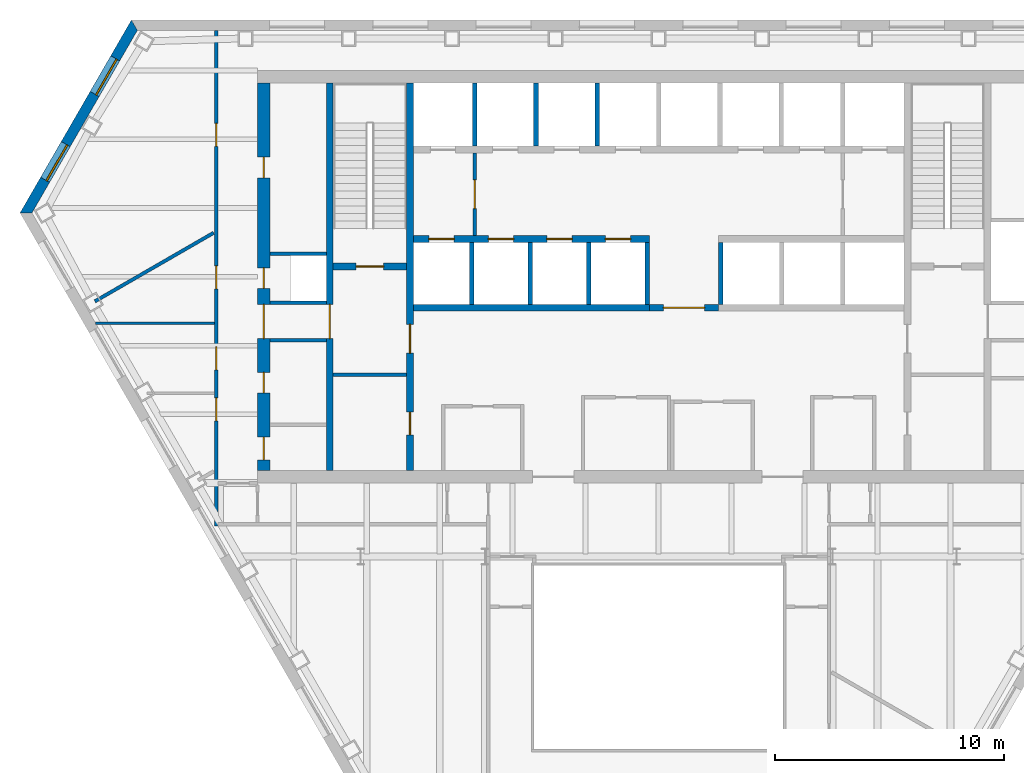
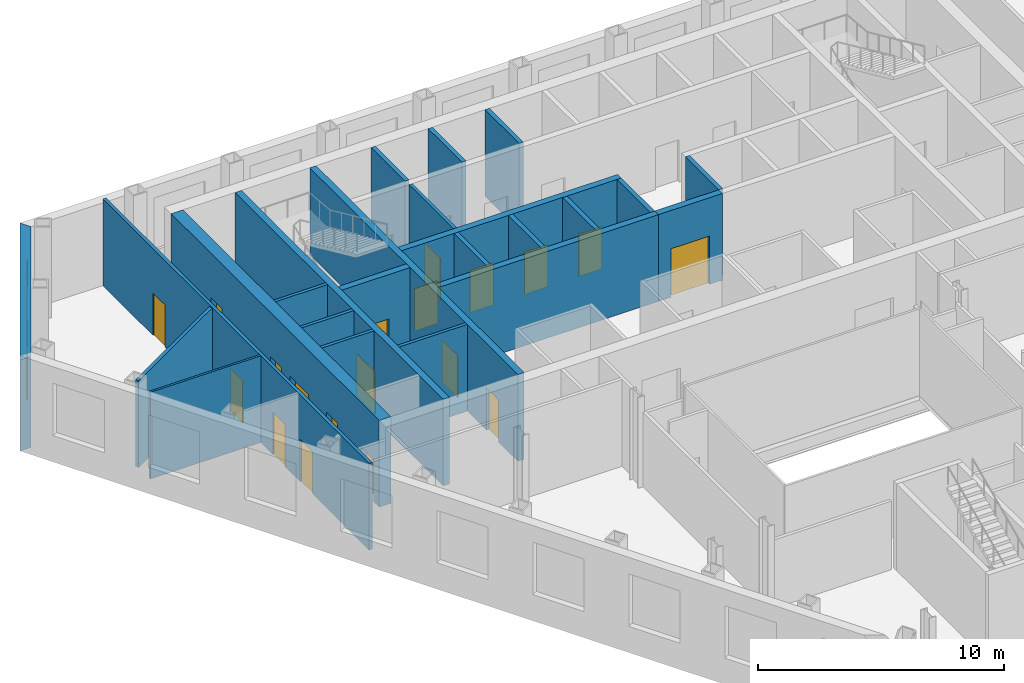
# One storey, part 6 of 11: 24 walls, 19 doors, 2 windows, 21 openings.
"""IFC4 building model written with IfcOpenShell, lengths in metres."""

from ifc_helpers import new_model, si_unit, direction, frame, frame_2d, origin, place, context, subcontext, project, spatial, polyline, rectangle, outline, extrude, material, layer, layer_set, type_object, element, fill, save


model = new_model("IFC4")

# Units and contexts
model_context = context("Model", 3, precision=1e-05, world=origin(), true_north=direction((0.0, 1.0)))
body_context = subcontext(model_context, "Body", "Model", "MODEL_VIEW")
ifc_project = project(units=[si_unit("LENGTHUNIT", "METRE"), si_unit("AREAUNIT", "SQUARE_METRE"), si_unit("VOLUMEUNIT", "CUBIC_METRE"), si_unit("PLANEANGLEUNIT", "RADIAN"), si_unit("MASSUNIT", "GRAM", prefix="KILO")], contexts=[model_context])

# Site, building, storey
site_placement = place(None, origin())
site = spatial("IfcSite", under=ifc_project, at=site_placement, CompositionType="ELEMENT")
building_placement = place(site_placement, origin())
building = spatial("IfcBuilding", under=site, at=building_placement, Name="Njiva Tower", CompositionType="ELEMENT")
storey_placement = place(building_placement, frame((0.0, 0.0, 120.3)))
storey = spatial("IfcBuildingStorey", under=building, at=storey_placement, Name="L25", CompositionType="ELEMENT", Elevation=120.3)

# Wall
ifc_material_1 = material(Name="Blockwork", Category="masonry")
ifc_layer_1 = layer(ifc_material_1, 0.15)
ifc_layer_set_1 = layer_set([ifc_layer_1], Name="Blockwork")
wall_type_1 = type_object("IfcWallType", Name="WT1 Compartment partition 150", PredefinedType="PARTITIONING", material=ifc_layer_set_1)
wall_1_placement = place(storey_placement, frame((-14.2, 4.725, 0.0), z_axis=(0.0, 0.0, 1.0), x_axis=(1.0, 0.0, 0.0)))
element("IfcWall", 1, at=wall_1_placement, inside=storey, type_object=wall_type_1, Name="Room wall A", PredefinedType="PARTITIONING", context=body_context, shape_type="SweptSolid", body=[
    extrude(rectangle(XDim=3.2, YDim=0.15, at=frame_2d((1.6, 0.0))), origin(), (0.0, 0.0, 1.0), 4.3),
])

# Wall, openings, doors
ifc_material_2 = material(Name="Concrete C40/50", Category="concrete")
ifc_layer_2 = layer(ifc_material_2, 0.3)
ifc_layer_set_2 = layer_set([ifc_layer_2], Name="Concrete C40/50")
wall_type_2 = type_object("IfcWallType", Name="WT10 Stair enclosure wall 300", PredefinedType="SHEAR", material=ifc_layer_set_2)
wall_2_placement = place(storey_placement, frame((-10.85, 0.55, 0.0), z_axis=(0.0, 0.0, 1.0), x_axis=(0.0, 1.0, 0.0)))
wall_2 = element("IfcWall", 2, at=wall_2_placement, inside=storey, type_object=wall_type_2, Name="Stair wall west inner", PredefinedType="SHEAR", context=body_context, shape_type="SweptSolid", body=[
    extrude(rectangle(XDim=16.9, YDim=0.3, at=frame_2d((8.45, 0.0))), origin(), (0.0, 0.0, 1.0), 4.3),
])
opening_1_placement = place(wall_2_placement, frame((5.125, 0.0, 0.0)))
opening_1 = element("IfcOpeningElement", 3, at=opening_1_placement, cuts=wall_2, Name="Opening S08-D914", PredefinedType="OPENING", context=body_context, shape_type="SweptSolid", body=[
    extrude(rectangle(XDim=1.25, YDim=2.1, at=frame_2d((0.625, 1.05))), frame((0.0, 0.16, 0.0), z_axis=(0.0, -1.0, 0.0), x_axis=(1.0, 0.0, 0.0)), (0.0, 0.0, 1.0), 0.32),
])
opening_2_placement = place(wall_2_placement, frame((1.55, 0.0, 0.0)))
opening_2 = element("IfcOpeningElement", 4, at=opening_2_placement, cuts=wall_2, Name="Opening S08-D915", PredefinedType="OPENING", context=body_context, shape_type="SweptSolid", body=[
    extrude(rectangle(XDim=1.0, YDim=2.1, at=frame_2d((0.5, 1.05))), frame((0.0, 0.16, 0.0), z_axis=(0.0, -1.0, 0.0), x_axis=(1.0, 0.0, 0.0)), (0.0, 0.0, 1.0), 0.32),
])
ifc_material_3 = material(Name="Steel door, painted", Category="steel")
door_type_1 = type_object("IfcDoorType", Name="D5 Steel door 1000x2100", OperationType="SINGLE_SWING_LEFT", PredefinedType="DOOR", material=ifc_material_3)
door_1_placement = place(opening_2_placement, origin())
door_1 = element("IfcDoor", 5, at=door_1_placement, inside=storey, type_object=door_type_1, Name="Quiet room door", OperationType="SINGLE_SWING_RIGHT", OverallHeight=2.1, OverallWidth=1.0, PredefinedType="DOOR", context=body_context, shape_type="SweptSolid", body=[
    extrude(rectangle(XDim=1.0, YDim=2.1, at=frame_2d((0.5, 1.05))), frame((0.0, 0.025, 0.0), z_axis=(0.0, -1.0, 0.0), x_axis=(1.0, 0.0, 0.0)), (0.0, 0.0, 1.0), 0.05),
])
fill(opening_2, door_1)
ifc_material_4 = material(Name="Glazed steel fire door", Category="steel")
door_type_2 = type_object("IfcDoorType", Name="D8 Vestibule corridor door 1250x2100 glazed", OperationType="SINGLE_SWING_LEFT", PredefinedType="DOOR", material=ifc_material_4)
door_2_placement = place(opening_1_placement, origin())
door_2 = element("IfcDoor", 6, at=door_2_placement, inside=storey, type_object=door_type_2, Name="Stair vestibule corridor door", OperationType="SINGLE_SWING_LEFT", OverallHeight=2.1, OverallWidth=1.25, PredefinedType="DOOR", context=body_context, shape_type="SweptSolid", body=[
    extrude(rectangle(XDim=1.25, YDim=2.1, at=frame_2d((0.625, 1.05))), frame((0.0, 0.025, 0.0), z_axis=(0.0, -1.0, 0.0), x_axis=(1.0, 0.0, 0.0)), (0.0, 0.0, 1.0), 0.05),
])
fill(opening_1, door_2)

# Wall, opening, door
wall_3_placement = place(storey_placement, frame((-14.35, 0.55, 0.0), z_axis=(0.0, 0.0, 1.0), x_axis=(0.0, 1.0, 0.0)))
wall_3 = element("IfcWall", 7, at=wall_3_placement, inside=storey, type_object=wall_type_2, Name="Stair wall west outer", PredefinedType="SHEAR", context=body_context, shape_type="SweptSolid", body=[
    extrude(rectangle(XDim=16.9, YDim=0.3, at=frame_2d((8.45, 0.0))), origin(), (0.0, 0.0, 1.0), 4.3),
])
opening_3_placement = place(wall_3_placement, frame((5.75, 0.0, 0.0)))
opening_3 = element("IfcOpeningElement", 8, at=opening_3_placement, cuts=wall_3, Name="Opening S08-D920", PredefinedType="OPENING", context=body_context, shape_type="SweptSolid", body=[
    extrude(rectangle(XDim=1.5, YDim=2.1, at=frame_2d((0.75, 1.05))), frame((0.0, 0.16, 0.0), z_axis=(0.0, -1.0, 0.0), x_axis=(1.0, 0.0, 0.0)), (0.0, 0.0, 1.0), 0.32),
])
door_type_3 = type_object("IfcDoorType", Name="D10 Exit door double 1500x2100 glazed", OperationType="DOUBLE_DOOR_SINGLE_SWING", PredefinedType="DOOR", material=ifc_material_4)
door_3_placement = place(opening_3_placement, origin())
door_3 = element("IfcDoor", 9, at=door_3_placement, inside=storey, type_object=door_type_3, Name="Stair A passage door", OperationType="DOUBLE_DOOR_SINGLE_SWING", OverallHeight=2.1, OverallWidth=1.5, PredefinedType="DOOR", context=body_context, shape_type="SweptSolid", body=[
    extrude(rectangle(XDim=1.5, YDim=2.1, at=frame_2d((0.75, 1.05))), frame((0.0, 0.025, 0.0), z_axis=(0.0, -1.0, 0.0), x_axis=(1.0, 0.0, 0.0)), (0.0, 0.0, 1.0), 0.05),
])
fill(opening_3, door_3)

wall_4_placement = place(storey_placement, frame((-14.2, 9.45, 0.0), z_axis=(0.0, 0.0, 1.0), x_axis=(1.0, 0.0, 0.0)))
wall_4 = element("IfcWall", 10, at=wall_4_placement, inside=storey, type_object=wall_type_2, Name="Stair A south wall", PredefinedType="SHEAR", context=body_context, shape_type="SweptSolid", body=[
    extrude(rectangle(XDim=3.2, YDim=0.3, at=frame_2d((1.6, 0.0))), origin(), (0.0, 0.0, 1.0), 4.3),
])
opening_4_placement = place(wall_4_placement, frame((1.0, 0.0, 0.0)))
opening_4 = element("IfcOpeningElement", 11, at=opening_4_placement, cuts=wall_4, Name="Opening S08-D913", PredefinedType="OPENING", context=body_context, shape_type="SweptSolid", body=[
    extrude(rectangle(XDim=1.2, YDim=2.1, at=frame_2d((0.6, 1.05))), frame((0.0, 0.16, 0.0), z_axis=(0.0, -1.0, 0.0), x_axis=(1.0, 0.0, 0.0)), (0.0, 0.0, 1.0), 0.32),
])
door_type_4 = type_object("IfcDoorType", Name="D7 Stair vestibule door 1200x2100 glazed", OperationType="SINGLE_SWING_LEFT", PredefinedType="DOOR", material=ifc_material_4)
door_4_placement = place(opening_4_placement, origin())
door_4 = element("IfcDoor", 12, at=door_4_placement, inside=storey, type_object=door_type_4, Name="Stair A door", OperationType="SINGLE_SWING_LEFT", OverallHeight=2.1, OverallWidth=1.2, PredefinedType="DOOR", context=body_context, shape_type="SweptSolid", body=[
    extrude(rectangle(XDim=1.2, YDim=2.1, at=frame_2d((0.6, 1.05))), frame((0.0, 0.025, 0.0), z_axis=(0.0, -1.0, 0.0), x_axis=(1.0, 0.0, 0.0)), (0.0, 0.0, 1.0), 0.05),
])
fill(opening_4, door_4)

# Wall, openings, doors
ifc_material_5 = material(Name="Concrete C60/75", Category="concrete")
ifc_layer_3 = layer(ifc_material_5, 0.55)
ifc_layer_set_3 = layer_set([ifc_layer_3], Name="Concrete C60/75")
wall_type_3 = type_object("IfcWallType", Name="WT14 Core wall 550", PredefinedType="SHEAR", material=ifc_layer_set_3)
wall_5_placement = place(storey_placement, frame((-17.225, 0.55, 0.0), z_axis=(0.0, 0.0, 1.0), x_axis=(0.0, 1.0, 0.0)))
wall_5 = element("IfcWall", 13, at=wall_5_placement, inside=storey, type_object=wall_type_3, Name="Core wall west", PredefinedType="SHEAR", context=body_context, shape_type="SweptSolid", body=[
    extrude(rectangle(XDim=16.9, YDim=0.55, at=frame_2d((8.45, 0.0))), origin(), (0.0, 0.0, 1.0), 4.3),
])
opening_5_placement = place(wall_5_placement, frame((5.75, 0.0, 0.0)))
opening_5 = element("IfcOpeningElement", 14, at=opening_5_placement, cuts=wall_5, Name="Opening S08-D921", PredefinedType="OPENING", context=body_context, shape_type="SweptSolid", body=[
    extrude(rectangle(XDim=1.5, YDim=2.1, at=frame_2d((0.75, 1.05))), frame((0.0, 0.285, 0.0), z_axis=(0.0, -1.0, 0.0), x_axis=(1.0, 0.0, 0.0)), (0.0, 0.0, 1.0), 0.57),
])
opening_6_placement = place(wall_5_placement, frame((0.4618, 0.0, 0.0)))
opening_6 = element("IfcOpeningElement", 15, at=opening_6_placement, cuts=wall_5, Name="Opening S08-D922", PredefinedType="OPENING", context=body_context, shape_type="SweptSolid", body=[
    extrude(rectangle(XDim=1.0, YDim=2.1, at=frame_2d((0.5, 1.05))), frame((0.0, 0.285, 0.0), z_axis=(0.0, -1.0, 0.0), x_axis=(1.0, 0.0, 0.0)), (0.0, 0.0, 1.0), 0.57),
])
opening_7_placement = place(wall_5_placement, frame((3.3868, 0.0, 0.0)))
opening_7 = element("IfcOpeningElement", 16, at=opening_7_placement, cuts=wall_5, Name="Opening S08-D923", PredefinedType="OPENING", context=body_context, shape_type="SweptSolid", body=[
    extrude(rectangle(XDim=0.9, YDim=2.1, at=frame_2d((0.45, 1.05))), frame((0.0, 0.285, 0.0), z_axis=(0.0, -1.0, 0.0), x_axis=(1.0, 0.0, 0.0)), (0.0, 0.0, 1.0), 0.57),
])
opening_8_placement = place(wall_5_placement, frame((7.9417, 0.0, 0.0)))
opening_8 = element("IfcOpeningElement", 17, at=opening_8_placement, cuts=wall_5, Name="Opening S08-D924", PredefinedType="OPENING", context=body_context, shape_type="SweptSolid", body=[
    extrude(rectangle(XDim=0.9, YDim=2.1, at=frame_2d((0.45, 1.05))), frame((0.0, 0.285, 0.0), z_axis=(0.0, -1.0, 0.0), x_axis=(1.0, 0.0, 0.0)), (0.0, 0.0, 1.0), 0.57),
])
opening_9_placement = place(wall_5_placement, frame((12.7667, 0.0, 0.0)))
opening_9 = element("IfcOpeningElement", 18, at=opening_9_placement, cuts=wall_5, Name="Opening S08-D925", PredefinedType="OPENING", context=body_context, shape_type="SweptSolid", body=[
    extrude(rectangle(XDim=0.9, YDim=2.1, at=frame_2d((0.45, 1.05))), frame((0.0, 0.285, 0.0), z_axis=(0.0, -1.0, 0.0), x_axis=(1.0, 0.0, 0.0)), (0.0, 0.0, 1.0), 0.57),
])
door_5_placement = place(opening_5_placement, origin())
door_5 = element("IfcDoor", 19, at=door_5_placement, inside=storey, type_object=door_type_3, Name="Stair A corridor door", OperationType="DOUBLE_DOOR_SINGLE_SWING", OverallHeight=2.1, OverallWidth=1.5, PredefinedType="DOOR", context=body_context, shape_type="SweptSolid", body=[
    extrude(rectangle(XDim=1.5, YDim=2.1, at=frame_2d((0.75, 1.05))), frame((0.0, 0.025, 0.0), z_axis=(0.0, -1.0, 0.0), x_axis=(1.0, 0.0, 0.0)), (0.0, 0.0, 1.0), 0.05),
])
fill(opening_5, door_5)
door_type_5 = type_object("IfcDoorType", Name="D4 Riser door 900x2100", OperationType="SINGLE_SWING_LEFT", PredefinedType="DOOR", material=ifc_material_3)
door_6_placement = place(opening_8_placement, origin())
door_6 = element("IfcDoor", 20, at=door_6_placement, inside=storey, type_object=door_type_5, Name="Riser door", OperationType="SINGLE_SWING_RIGHT", OverallHeight=2.1, OverallWidth=0.9, PredefinedType="DOOR", context=body_context, shape_type="SweptSolid", body=[
    extrude(rectangle(XDim=0.9, YDim=2.1, at=frame_2d((0.45, 1.05))), frame((0.0, 0.025, 0.0), z_axis=(0.0, -1.0, 0.0), x_axis=(1.0, 0.0, 0.0)), (0.0, 0.0, 1.0), 0.05),
])
fill(opening_8, door_6)
door_7_placement = place(opening_6_placement, origin())
door_7 = element("IfcDoor", 21, at=door_7_placement, inside=storey, type_object=door_type_1, Name="Electrical room door", OperationType="SINGLE_SWING_LEFT", OverallHeight=2.1, OverallWidth=1.0, PredefinedType="DOOR", context=body_context, shape_type="SweptSolid", body=[
    extrude(rectangle(XDim=1.0, YDim=2.1, at=frame_2d((0.5, 1.05))), frame((0.0, 0.025, 0.0), z_axis=(0.0, -1.0, 0.0), x_axis=(1.0, 0.0, 0.0)), (0.0, 0.0, 1.0), 0.05),
])
fill(opening_6, door_7)
ifc_material_6 = material(Name="Steel fire door, painted", Category="steel")
door_type_6 = type_object("IfcDoorType", Name="D6 Fire-rated door 900x2100", OperationType="SINGLE_SWING_LEFT", PredefinedType="DOOR", material=ifc_material_6)
door_8_placement = place(opening_7_placement, origin())
door_8 = element("IfcDoor", 22, at=door_8_placement, inside=storey, type_object=door_type_6, Name="Quiet room door", OperationType="SINGLE_SWING_LEFT", OverallHeight=2.1, OverallWidth=0.9, PredefinedType="DOOR", context=body_context, shape_type="SweptSolid", body=[
    extrude(rectangle(XDim=0.9, YDim=2.1, at=frame_2d((0.45, 1.05))), frame((0.0, 0.025, 0.0), z_axis=(0.0, -1.0, 0.0), x_axis=(1.0, 0.0, 0.0)), (0.0, 0.0, 1.0), 0.05),
])
fill(opening_7, door_8)
door_9_placement = place(opening_9_placement, origin())
door_9 = element("IfcDoor", 23, at=door_9_placement, inside=storey, type_object=door_type_6, Name="Business centre door", OperationType="SINGLE_SWING_RIGHT", OverallHeight=2.1, OverallWidth=0.9, PredefinedType="DOOR", context=body_context, shape_type="SweptSolid", body=[
    extrude(rectangle(XDim=0.9, YDim=2.1, at=frame_2d((0.45, 1.05))), frame((0.0, 0.025, 0.0), z_axis=(0.0, -1.0, 0.0), x_axis=(1.0, 0.0, 0.0)), (0.0, 0.0, 1.0), 0.05),
])
fill(opening_9, door_9)

# Wall, opening, door
ifc_layer_4 = layer(ifc_material_1, 0.15)
ifc_layer_set_4 = layer_set([ifc_layer_4], Name="Blockwork")
wall_type_4 = type_object("IfcWallType", Name="WT2 Lobby partition 150", PredefinedType="PARTITIONING", material=ifc_layer_set_4)
wall_6_placement = place(storey_placement, frame((-8.025, 10.8, 0.0), z_axis=(0.0, 0.0, 1.0), x_axis=(0.0, 1.0, 0.0)))
wall_6 = element("IfcWall", 24, at=wall_6_placement, inside=storey, type_object=wall_type_4, Name="Firefighting lobby wall A", PredefinedType="PARTITIONING", context=body_context, shape_type="SweptSolid", body=[
    extrude(rectangle(XDim=3.6, YDim=0.15, at=frame_2d((1.8, 0.0))), origin(), (0.0, 0.0, 1.0), 4.3),
])
opening_10_placement = place(wall_6_placement, frame((1.175, 0.0, 0.0)))
opening_10 = element("IfcOpeningElement", 25, at=opening_10_placement, cuts=wall_6, Name="Opening S08-D912", PredefinedType="OPENING", context=body_context, shape_type="SweptSolid", body=[
    extrude(rectangle(XDim=1.25, YDim=2.1, at=frame_2d((0.625, 1.05))), frame((0.0, 0.085, 0.0), z_axis=(0.0, -1.0, 0.0), x_axis=(1.0, 0.0, 0.0)), (0.0, 0.0, 1.0), 0.17),
])
door_10_placement = place(opening_10_placement, origin())
door_10 = element("IfcDoor", 26, at=door_10_placement, inside=storey, type_object=door_type_2, Name="Stair vestibule corridor door", OperationType="SINGLE_SWING_RIGHT", OverallHeight=2.1, OverallWidth=1.25, PredefinedType="DOOR", context=body_context, shape_type="SweptSolid", body=[
    extrude(rectangle(XDim=1.25, YDim=2.1, at=frame_2d((0.625, 1.05))), frame((0.0, 0.025, 0.0), z_axis=(0.0, -1.0, 0.0), x_axis=(1.0, 0.0, 0.0)), (0.0, 0.0, 1.0), 0.05),
])
fill(opening_10, door_10)

# Walls
ifc_material_7 = material(Name="Gypsum board on steel studs", Category="gypsum")
ifc_layer_5 = layer(ifc_material_7, 0.1)
ifc_layer_set_5 = layer_set([ifc_layer_5], Name="Gypsum board on steel studs")
wall_type_5 = type_object("IfcWallType", Name="WT20 Gypsum partition 100", PredefinedType="PARTITIONING", material=ifc_layer_set_5)
wall_7_placement = place(storey_placement, frame((-24.557, 6.97, 0.0), z_axis=(0.0, 0.0, 1.0), x_axis=(1.0, 0.0, 0.0)))
element("IfcWall", 27, at=wall_7_placement, inside=storey, type_object=wall_type_5, Name="Partition S08-P002", PredefinedType="PARTITIONING", context=body_context, shape_type="SweptSolid", body=[
    extrude(rectangle(XDim=5.182, YDim=0.1, at=frame_2d((2.591, 0.0))), origin(), (0.0, 0.0, 1.0), 4.3),
])
ifc_layer_6 = layer(ifc_material_7, 0.15)
ifc_layer_set_6 = layer_set([ifc_layer_6], Name="Gypsum board on steel studs")
wall_type_6 = type_object("IfcWallType", Name="WT21 Compartment wall 150", PredefinedType="PARTITIONING", material=ifc_layer_set_6)
wall_8_placement = place(storey_placement, frame((-24.592, 7.93, 0.0), z_axis=(0.0, 0.0, 1.0), x_axis=(0.866146611104, 0.499790003975, 0.0)))
element("IfcWall", 28, at=wall_8_placement, inside=storey, type_object=wall_type_6, Name="Partition S08-P001", PredefinedType="PARTITIONING", context=body_context, shape_type="SweptSolid", body=[
    extrude(rectangle(XDim=5.9805, YDim=0.15, at=frame_2d((2.9902, 0.0))), origin(), (0.0, 0.0, 1.0), 4.3),
])

# Wall, openings, doors
wall_9_placement = place(storey_placement, frame((-19.3, -1.875, 0.0), z_axis=(0.0, 0.0, 1.0), x_axis=(0.0, 1.0, 0.0)))
wall_9 = element("IfcWall", 29, at=wall_9_placement, inside=storey, type_object=wall_type_6, Name="Partition S08-P005", PredefinedType="PARTITIONING", context=body_context, shape_type="SweptSolid", body=[
    extrude(rectangle(XDim=21.622, YDim=0.15, at=frame_2d((10.811, 0.0))), origin(), (0.0, 0.0, 1.0), 4.3),
])
opening_11_placement = place(wall_9_placement, frame((4.595, 0.0, 0.0)))
opening_11 = element("IfcOpeningElement", 30, at=opening_11_placement, cuts=wall_9, Name="Opening S08-D001", PredefinedType="OPENING", context=body_context, shape_type="SweptSolid", body=[
    extrude(rectangle(XDim=1.0, YDim=2.1, at=frame_2d((0.5, 1.05))), frame((0.0, 0.085, 0.0), z_axis=(0.0, -1.0, 0.0), x_axis=(1.0, 0.0, 0.0)), (0.0, 0.0, 1.0), 0.17),
])
opening_12_placement = place(wall_9_placement, frame((6.82, 0.0, 0.0)))
opening_12 = element("IfcOpeningElement", 31, at=opening_12_placement, cuts=wall_9, Name="Opening S08-D002", PredefinedType="OPENING", context=body_context, shape_type="SweptSolid", body=[
    extrude(rectangle(XDim=1.0, YDim=2.1, at=frame_2d((0.5, 1.05))), frame((0.0, 0.085, 0.0), z_axis=(0.0, -1.0, 0.0), x_axis=(1.0, 0.0, 0.0)), (0.0, 0.0, 1.0), 0.17),
])
opening_13_placement = place(wall_9_placement, frame((10.351, 0.0, 0.0)))
opening_13 = element("IfcOpeningElement", 32, at=opening_13_placement, cuts=wall_9, Name="Opening S08-D003", PredefinedType="OPENING", context=body_context, shape_type="SweptSolid", body=[
    extrude(rectangle(XDim=1.0, YDim=2.1, at=frame_2d((0.5, 1.05))), frame((0.0, 0.085, 0.0), z_axis=(0.0, -1.0, 0.0), x_axis=(1.0, 0.0, 0.0)), (0.0, 0.0, 1.0), 0.17),
])
opening_14_placement = place(wall_9_placement, frame((16.565, 0.0, 0.0)))
opening_14 = element("IfcOpeningElement", 33, at=opening_14_placement, cuts=wall_9, Name="Opening S08-D004", PredefinedType="OPENING", context=body_context, shape_type="SweptSolid", body=[
    extrude(rectangle(XDim=1.0, YDim=2.1, at=frame_2d((0.5, 1.05))), frame((0.0, 0.085, 0.0), z_axis=(0.0, -1.0, 0.0), x_axis=(1.0, 0.0, 0.0)), (0.0, 0.0, 1.0), 0.17),
])
ifc_material_8 = material(Name="Steel fire door set", Category="steel")
door_type_7 = type_object("IfcDoorType", Name="D37 Fire door 1000x2100", OperationType="SINGLE_SWING_LEFT", PredefinedType="DOOR", material=ifc_material_8)
door_11_placement = place(opening_11_placement, origin())
door_11 = element("IfcDoor", 34, at=door_11_placement, inside=storey, type_object=door_type_7, Name="Door S08-D001", OperationType="SINGLE_SWING_RIGHT", OverallHeight=2.1, OverallWidth=1.0, PredefinedType="DOOR", context=body_context, shape_type="SweptSolid", body=[
    extrude(rectangle(XDim=1.0, YDim=2.1, at=frame_2d((0.5, 1.05))), frame((0.0, 0.025, 0.0), z_axis=(0.0, -1.0, 0.0), x_axis=(1.0, 0.0, 0.0)), (0.0, 0.0, 1.0), 0.05),
])
fill(opening_11, door_11)
door_12_placement = place(opening_12_placement, origin())
door_12 = element("IfcDoor", 35, at=door_12_placement, inside=storey, type_object=door_type_7, Name="Door S08-D002", OperationType="SINGLE_SWING_RIGHT", OverallHeight=2.1, OverallWidth=1.0, PredefinedType="DOOR", context=body_context, shape_type="SweptSolid", body=[
    extrude(rectangle(XDim=1.0, YDim=2.1, at=frame_2d((0.5, 1.05))), frame((0.0, 0.025, 0.0), z_axis=(0.0, -1.0, 0.0), x_axis=(1.0, 0.0, 0.0)), (0.0, 0.0, 1.0), 0.05),
])
fill(opening_12, door_12)
door_13_placement = place(opening_13_placement, origin())
door_13 = element("IfcDoor", 36, at=door_13_placement, inside=storey, type_object=door_type_7, Name="Door S08-D003", OperationType="SINGLE_SWING_LEFT", OverallHeight=2.1, OverallWidth=1.0, PredefinedType="DOOR", context=body_context, shape_type="SweptSolid", body=[
    extrude(rectangle(XDim=1.0, YDim=2.1, at=frame_2d((0.5, 1.05))), frame((0.0, 0.025, 0.0), z_axis=(0.0, -1.0, 0.0), x_axis=(1.0, 0.0, 0.0)), (0.0, 0.0, 1.0), 0.05),
])
fill(opening_13, door_13)
door_14_placement = place(opening_14_placement, origin())
door_14 = element("IfcDoor", 37, at=door_14_placement, inside=storey, type_object=door_type_7, Name="Door S08-D004", OperationType="SINGLE_SWING_LEFT", OverallHeight=2.1, OverallWidth=1.0, PredefinedType="DOOR", context=body_context, shape_type="SweptSolid", body=[
    extrude(rectangle(XDim=1.0, YDim=2.1, at=frame_2d((0.5, 1.05))), frame((0.0, 0.025, 0.0), z_axis=(0.0, -1.0, 0.0), x_axis=(1.0, 0.0, 0.0)), (0.0, 0.0, 1.0), 0.05),
])
fill(opening_14, door_14)

# Walls
ifc_layer_7 = layer(ifc_material_1, 0.15)
ifc_layer_set_7 = layer_set([ifc_layer_7], Name="Blockwork")
wall_type_7 = type_object("IfcWallType", Name="WT3 Riser partition 150", PredefinedType="PARTITIONING", material=ifc_layer_set_7)
wall_10_placement = place(storey_placement, frame((-16.95, 10.0083, 0.0), z_axis=(0.0, 0.0, 1.0), x_axis=(1.0, 0.0, 0.0)))
element("IfcWall", 38, at=wall_10_placement, inside=storey, type_object=wall_type_7, Name="Partition strip W10", PredefinedType="PARTITIONING", context=body_context, shape_type="SweptSolid", body=[
    extrude(rectangle(XDim=2.45, YDim=0.15, at=frame_2d((1.225, 0.0))), origin(), (0.0, 0.0, 1.0), 4.3),
])
ifc_layer_8 = layer(ifc_material_1, 0.15)
ifc_layer_set_8 = layer_set([ifc_layer_8], Name="Blockwork")
wall_type_8 = type_object("IfcWallType", Name="WT4 Stair partition 150", PredefinedType="PARTITIONING", material=ifc_layer_set_8)
for number, where, z_axis, x_axis, name in (
    (39, (-16.95, 6.225, 0.0), (0.0, 0.0, 1.0), (1.0, 0.0, 0.0), "Stair A exit passage wall south"),
    (40, (-16.95, 7.875, 0.0), (0.0, 0.0, 1.0), (1.0, 0.0, 0.0), "Stair A exit passage wall north"),
):
    element("IfcWall", number, at=place(storey_placement, frame(where, z_axis=z_axis, x_axis=x_axis)), inside=storey, type_object=wall_type_8, Name=name, PredefinedType="PARTITIONING", context=body_context, shape_type="SweptSolid", body=[
        extrude(rectangle(XDim=2.45, YDim=0.15, at=frame_2d((1.225, 0.0))), origin(), (0.0, 0.0, 1.0), 4.3),
    ])

# Wall, opening, door
ifc_layer_9 = layer(ifc_material_1, 0.3)
ifc_layer_set_9 = layer_set([ifc_layer_9], Name="Blockwork")
wall_type_9 = type_object("IfcWallType", Name="WT5 Lobby partition 300", PredefinedType="PARTITIONING", material=ifc_layer_set_9)
wall_11_placement = place(storey_placement, frame((-0.4, 7.65, 0.0), z_axis=(0.0, 0.0, 1.0), x_axis=(1.0, 0.0, 0.0)))
wall_11 = element("IfcWall", 41, at=wall_11_placement, inside=storey, type_object=wall_type_9, Name="Lift lobby screen wall", PredefinedType="PARTITIONING", context=body_context, shape_type="SweptSolid", body=[
    extrude(rectangle(XDim=3.0, YDim=0.3, at=frame_2d((1.5, 0.0))), origin(), (0.0, 0.0, 1.0), 4.3),
])
opening_15_placement = place(wall_11_placement, frame((0.6, 0.0, 0.0)))
opening_15 = element("IfcOpeningElement", 42, at=opening_15_placement, cuts=wall_11, Name="Opening S08-D936", PredefinedType="OPENING", context=body_context, shape_type="SweptSolid", body=[
    extrude(rectangle(XDim=1.8, YDim=2.4, at=frame_2d((0.9, 1.2))), frame((0.0, 0.16, 0.0), z_axis=(0.0, -1.0, 0.0), x_axis=(1.0, 0.0, 0.0)), (0.0, 0.0, 1.0), 0.32),
])
ifc_material_9 = material(Name="Steel and glass door", Category="steel")
door_type_8 = type_object("IfcDoorType", Name="D3 Core entrance door 1800x2400", OperationType="DOUBLE_DOOR_SINGLE_SWING", PredefinedType="DOOR", material=ifc_material_9)
door_15_placement = place(opening_15_placement, origin())
door_15 = element("IfcDoor", 43, at=door_15_placement, inside=storey, type_object=door_type_8, Name="Core entrance door", OperationType="DOUBLE_DOOR_SINGLE_SWING", OverallHeight=2.4, OverallWidth=1.8, PredefinedType="DOOR", context=body_context, shape_type="SweptSolid", body=[
    extrude(rectangle(XDim=1.8, YDim=2.4, at=frame_2d((0.9, 1.2))), frame((0.0, 0.025, 0.0), z_axis=(0.0, -1.0, 0.0), x_axis=(1.0, 0.0, 0.0)), (0.0, 0.0, 1.0), 0.05),
])
fill(opening_15, door_15)

# Walls
ifc_layer_10 = layer(ifc_material_2, 0.2)
ifc_layer_set_10 = layer_set([ifc_layer_10], Name="Concrete C40/50")
wall_type_10 = type_object("IfcWallType", Name="WT6 Lift shaft wall 200", PredefinedType="SHEAR", material=ifc_layer_set_10)
for number, where, z_axis, x_axis, name in (
    (44, (-8.025, 14.7, 0.0), (0.0, 0.0, 1.0), (0.0, 1.0, 0.0), "Shaft wall CN1"),
    (45, (-5.35, 14.7, 0.0), (0.0, 0.0, 1.0), (0.0, 1.0, 0.0), "Shaft wall CN2"),
    (46, (-2.675, 14.7, 0.0), (0.0, 0.0, 1.0), (0.0, 1.0, 0.0), "Shaft wall CN3"),
):
    element("IfcWall", number, at=place(storey_placement, frame(where, z_axis=z_axis, x_axis=x_axis)), inside=storey, type_object=wall_type_10, Name=name, PredefinedType="SHEAR", context=body_context, shape_type="SweptSolid", body=[
        extrude(rectangle(XDim=2.75, YDim=0.2, at=frame_2d((1.375, 0.0))), origin(), (0.0, 0.0, 1.0), 4.3),
    ])
for number, where, z_axis, x_axis, name in (
    (47, (-8.15, 7.8, 0.0), (0.0, 0.0, 1.0), (0.0, 1.0, 0.0), "Shaft wall CS1"),
    (48, (-5.6, 7.8, 0.0), (0.0, 0.0, 1.0), (0.0, 1.0, 0.0), "Shaft wall CS2"),
    (49, (-3.05, 7.8, 0.0), (0.0, 0.0, 1.0), (0.0, 1.0, 0.0), "Shaft wall CS3"),
    (50, (-0.5, 7.8, 0.0), (0.0, 0.0, 1.0), (0.0, 1.0, 0.0), "Shaft wall CS4"),
    (51, (2.7, 7.8, 0.0), (0.0, 0.0, 1.0), (0.0, 1.0, 0.0), "Shaft wall CS5"),
):
    element("IfcWall", number, at=place(storey_placement, frame(where, z_axis=z_axis, x_axis=x_axis)), inside=storey, type_object=wall_type_10, Name=name, PredefinedType="SHEAR", context=body_context, shape_type="SweptSolid", body=[
        extrude(rectangle(XDim=2.7, YDim=0.2, at=frame_2d((1.35, 0.0))), origin(), (0.0, 0.0, 1.0), 4.3),
    ])

# Wall, openings, doors
ifc_layer_11 = layer(ifc_material_2, 0.3)
ifc_layer_set_11 = layer_set([ifc_layer_11], Name="Concrete C40/50")
wall_type_11 = type_object("IfcWallType", Name="WT7 Lift shaft wall 300", PredefinedType="SHEAR", material=ifc_layer_set_11)
wall_12_placement = place(storey_placement, frame((-10.7, 10.65, 0.0), z_axis=(0.0, 0.0, 1.0), x_axis=(1.0, 0.0, 0.0)))
wall_12 = element("IfcWall", 52, at=wall_12_placement, inside=storey, type_object=wall_type_11, Name="Shaft wall south row lobby side W", PredefinedType="SHEAR", context=body_context, shape_type="SweptSolid", body=[
    extrude(rectangle(XDim=10.3, YDim=0.3, at=frame_2d((5.15, 0.0))), origin(), (0.0, 0.0, 1.0), 4.3),
])
opening_16_placement = place(wall_12_placement, frame((0.675, 0.0, 0.0)))
opening_16 = element("IfcOpeningElement", 53, at=opening_16_placement, cuts=wall_12, Name="Opening S08-D908", PredefinedType="OPENING", context=body_context, shape_type="SweptSolid", body=[
    extrude(rectangle(XDim=1.1, YDim=2.1, at=frame_2d((0.55, 1.05))), frame((0.0, 0.16, 0.0), z_axis=(0.0, -1.0, 0.0), x_axis=(1.0, 0.0, 0.0)), (0.0, 0.0, 1.0), 0.32),
])
opening_17_placement = place(wall_12_placement, frame((3.275, 0.0, 0.0)))
opening_17 = element("IfcOpeningElement", 54, at=opening_17_placement, cuts=wall_12, Name="Opening S08-D909", PredefinedType="OPENING", context=body_context, shape_type="SweptSolid", body=[
    extrude(rectangle(XDim=1.1, YDim=2.1, at=frame_2d((0.55, 1.05))), frame((0.0, 0.16, 0.0), z_axis=(0.0, -1.0, 0.0), x_axis=(1.0, 0.0, 0.0)), (0.0, 0.0, 1.0), 0.32),
])
opening_18_placement = place(wall_12_placement, frame((5.825, 0.0, 0.0)))
opening_18 = element("IfcOpeningElement", 55, at=opening_18_placement, cuts=wall_12, Name="Opening S08-D910", PredefinedType="OPENING", context=body_context, shape_type="SweptSolid", body=[
    extrude(rectangle(XDim=1.1, YDim=2.1, at=frame_2d((0.55, 1.05))), frame((0.0, 0.16, 0.0), z_axis=(0.0, -1.0, 0.0), x_axis=(1.0, 0.0, 0.0)), (0.0, 0.0, 1.0), 0.32),
])
opening_19_placement = place(wall_12_placement, frame((8.375, 0.0, 0.0)))
opening_19 = element("IfcOpeningElement", 56, at=opening_19_placement, cuts=wall_12, Name="Opening S08-D911", PredefinedType="OPENING", context=body_context, shape_type="SweptSolid", body=[
    extrude(rectangle(XDim=1.1, YDim=2.1, at=frame_2d((0.55, 1.05))), frame((0.0, 0.16, 0.0), z_axis=(0.0, -1.0, 0.0), x_axis=(1.0, 0.0, 0.0)), (0.0, 0.0, 1.0), 0.32),
])
ifc_material_10 = material(Name="Stainless steel sliding door", Category="steel")
door_type_9 = type_object("IfcDoorType", Name="LD Lift landing door 1100x2100", OperationType="SLIDING_TO_LEFT", PredefinedType="DOOR", material=ifc_material_10)
door_16_placement = place(opening_16_placement, origin())
door_16 = element("IfcDoor", 57, at=door_16_placement, inside=storey, type_object=door_type_9, Name="Lift landing door LB4", OperationType="SLIDING_TO_LEFT", OverallHeight=2.1, OverallWidth=1.1, PredefinedType="DOOR", context=body_context, shape_type="SweptSolid", body=[
    extrude(rectangle(XDim=1.1, YDim=2.1, at=frame_2d((0.55, 1.05))), frame((0.0, 0.025, 0.0), z_axis=(0.0, -1.0, 0.0), x_axis=(1.0, 0.0, 0.0)), (0.0, 0.0, 1.0), 0.05),
])
fill(opening_16, door_16)
door_17_placement = place(opening_17_placement, origin())
door_17 = element("IfcDoor", 58, at=door_17_placement, inside=storey, type_object=door_type_9, Name="Lift landing door LB5", OperationType="SLIDING_TO_LEFT", OverallHeight=2.1, OverallWidth=1.1, PredefinedType="DOOR", context=body_context, shape_type="SweptSolid", body=[
    extrude(rectangle(XDim=1.1, YDim=2.1, at=frame_2d((0.55, 1.05))), frame((0.0, 0.025, 0.0), z_axis=(0.0, -1.0, 0.0), x_axis=(1.0, 0.0, 0.0)), (0.0, 0.0, 1.0), 0.05),
])
fill(opening_17, door_17)
door_18_placement = place(opening_18_placement, origin())
door_18 = element("IfcDoor", 59, at=door_18_placement, inside=storey, type_object=door_type_9, Name="Lift landing door LB6", OperationType="SLIDING_TO_LEFT", OverallHeight=2.1, OverallWidth=1.1, PredefinedType="DOOR", context=body_context, shape_type="SweptSolid", body=[
    extrude(rectangle(XDim=1.1, YDim=2.1, at=frame_2d((0.55, 1.05))), frame((0.0, 0.025, 0.0), z_axis=(0.0, -1.0, 0.0), x_axis=(1.0, 0.0, 0.0)), (0.0, 0.0, 1.0), 0.05),
])
fill(opening_18, door_18)
door_19_placement = place(opening_19_placement, origin())
door_19 = element("IfcDoor", 60, at=door_19_placement, inside=storey, type_object=door_type_9, Name="Lift landing door LB7", OperationType="SLIDING_TO_LEFT", OverallHeight=2.1, OverallWidth=1.1, PredefinedType="DOOR", context=body_context, shape_type="SweptSolid", body=[
    extrude(rectangle(XDim=1.1, YDim=2.1, at=frame_2d((0.55, 1.05))), frame((0.0, 0.025, 0.0), z_axis=(0.0, -1.0, 0.0), x_axis=(1.0, 0.0, 0.0)), (0.0, 0.0, 1.0), 0.05),
])
fill(opening_19, door_19)

# Wall
wall_13_placement = place(storey_placement, frame((-10.7, 7.65, 0.0), z_axis=(0.0, 0.0, 1.0), x_axis=(1.0, 0.0, 0.0)))
element("IfcWall", 61, at=wall_13_placement, inside=storey, type_object=wall_type_11, Name="Shaft wall south row back W", PredefinedType="SHEAR", context=body_context, shape_type="SweptSolid", body=[
    extrude(rectangle(XDim=10.3, YDim=0.3, at=frame_2d((5.15, 0.0))), origin(), (0.0, 0.0, 1.0), 4.3),
])

# Wall, openings, windows
ifc_material_11 = material(Name="Brick masonry, buff", Category="masonry")
ifc_layer_12 = layer(ifc_material_11, 0.45)
ifc_layer_set_12 = layer_set([ifc_layer_12], Name="Brick masonry, buff")
wall_type_12 = type_object("IfcWallType", Name="WT94 Brick pier and spandrel wall 450, buff", PredefinedType="SOLIDWALL", material=ifc_layer_set_12)
wall_14_placement = place(storey_placement, frame((-22.8688, 19.9772, -0.4), z_axis=(0.0, 0.0, 1.0), x_axis=(-0.499998788182, -0.866026103427, 0.0)))
wall_14 = element("IfcWall", 62, at=wall_14_placement, inside=storey, type_object=wall_type_12, Name="Facade wall NW", PredefinedType="SOLIDWALL", context=body_context, shape_type="SweptSolid", body=[
    extrude(outline(polyline([(-0.1299, -0.225), (9.5901, -0.225), (9.3303, 0.225), (0.1299, 0.225), (-0.1299, -0.225)])), origin(), (0.0, 0.0, 1.0), 4.5),
])
opening_20_placement = place(wall_14_placement, frame((1.6694, 0.0, 1.3)))
opening_20 = element("IfcOpeningElement", 63, at=opening_20_placement, cuts=wall_14, Name="Opening S08-W09", PredefinedType="OPENING", context=body_context, shape_type="SweptSolid", body=[
    extrude(rectangle(XDim=1.8, YDim=2.6, at=frame_2d((0.9, 1.3))), frame((0.0, 0.235, 0.0), z_axis=(0.0, -1.0, 0.0), x_axis=(1.0, 0.0, 0.0)), (0.0, 0.0, 1.0), 0.47),
])
opening_21_placement = place(wall_14_placement, frame((5.9907, 0.0, 1.3)))
opening_21 = element("IfcOpeningElement", 64, at=opening_21_placement, cuts=wall_14, Name="Opening S08-W10", PredefinedType="OPENING", context=body_context, shape_type="SweptSolid", body=[
    extrude(rectangle(XDim=1.8, YDim=2.6, at=frame_2d((0.9, 1.3))), frame((0.0, 0.235, 0.0), z_axis=(0.0, -1.0, 0.0), x_axis=(1.0, 0.0, 0.0)), (0.0, 0.0, 1.0), 0.47),
])
ifc_material_12 = material(Name="Clear glazing in aluminium frame", Category="aluminium")
window_type = type_object("IfcWindowType", Name="W96 Deep-set window 1800x2600", PartitioningType="SINGLE_PANEL", PredefinedType="WINDOW", material=ifc_material_12)
window_1_placement = place(opening_20_placement, origin())
window_1 = element("IfcWindow", 65, at=window_1_placement, inside=storey, type_object=window_type, Name="Window", OverallHeight=2.6, OverallWidth=1.8, PartitioningType="SINGLE_PANEL", PredefinedType="WINDOW", context=body_context, shape_type="SweptSolid", body=[
    extrude(rectangle(XDim=1.8, YDim=2.6, at=frame_2d((0.9, 1.3))), frame((0.0, 0.105, 0.0), z_axis=(0.0, -1.0, 0.0), x_axis=(1.0, 0.0, 0.0)), (0.0, 0.0, 1.0), 0.06),
])
fill(opening_20, window_1)
window_2_placement = place(opening_21_placement, origin())
window_2 = element("IfcWindow", 66, at=window_2_placement, inside=storey, type_object=window_type, Name="Window", OverallHeight=2.6, OverallWidth=1.8, PartitioningType="SINGLE_PANEL", PredefinedType="WINDOW", context=body_context, shape_type="SweptSolid", body=[
    extrude(rectangle(XDim=1.8, YDim=2.6, at=frame_2d((0.9, 1.3))), frame((0.0, 0.105, 0.0), z_axis=(0.0, -1.0, 0.0), x_axis=(1.0, 0.0, 0.0)), (0.0, 0.0, 1.0), 0.06),
])
fill(opening_21, window_2)

save(model, "model.ifc")
